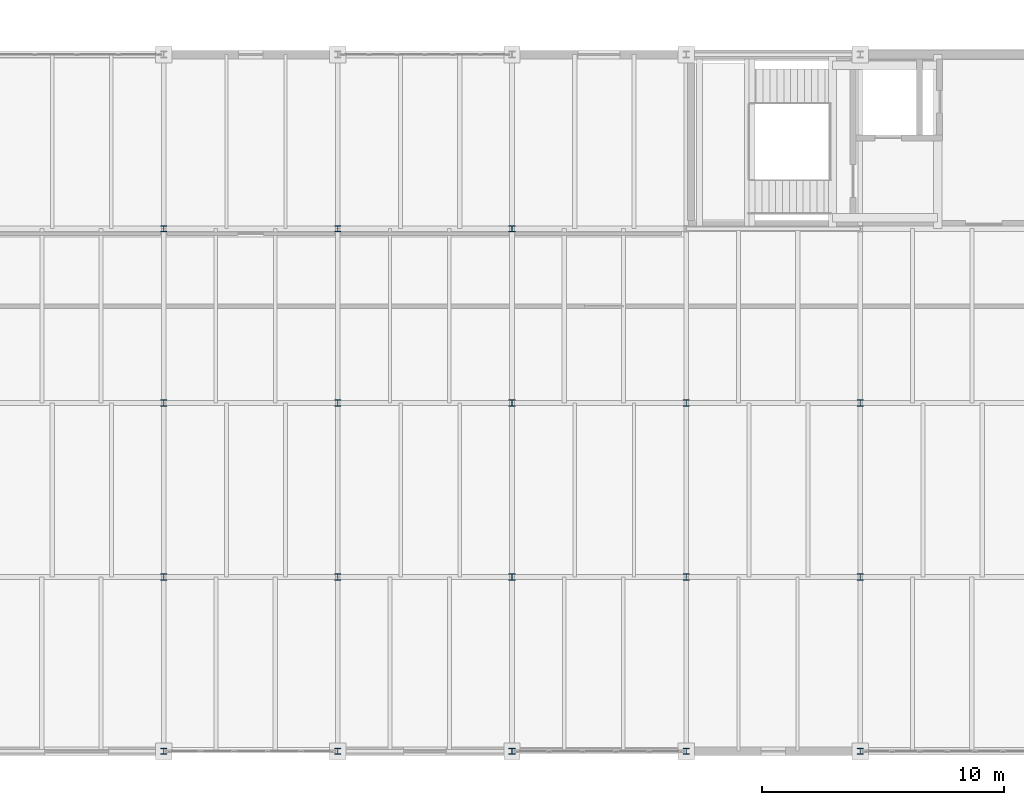
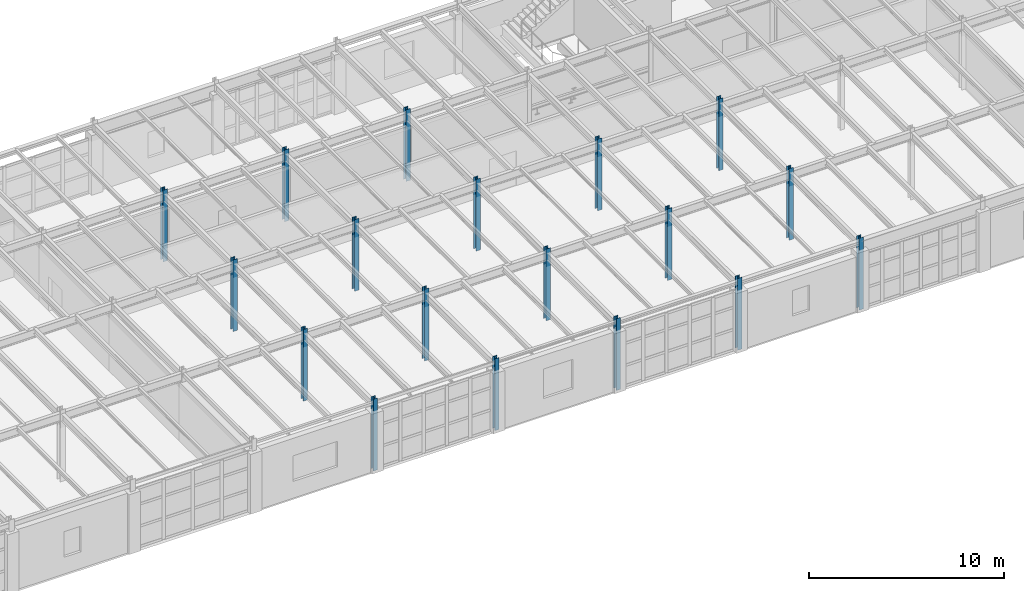
# One storey, part 5 of 137: 18 columns.
"""IFC4 building model written with IfcOpenShell, lengths in metres."""

from ifc_helpers import new_model, si_unit, direction, frame, origin, origin_2d, place, context, subcontext, project, spatial, i_section, extrude, material, material_profile, profile_set, type_object, element, save


model = new_model("IFC4")

# Units and contexts
model_context = context("Model", 3, precision=1e-05, world=origin(), true_north=direction((0.0, 1.0)))
body_context = subcontext(model_context, "Body", "Model", "MODEL_VIEW")
ifc_project = project(units=[si_unit("LENGTHUNIT", "METRE"), si_unit("AREAUNIT", "SQUARE_METRE"), si_unit("VOLUMEUNIT", "CUBIC_METRE"), si_unit("PLANEANGLEUNIT", "RADIAN"), si_unit("MASSUNIT", "GRAM", prefix="KILO")], contexts=[model_context])

# Site, building, storey
site_placement = place(None, origin())
site = spatial("IfcSite", under=ifc_project, at=site_placement, CompositionType="ELEMENT")
building_placement = place(site_placement, origin())
building = spatial("IfcBuilding", under=site, at=building_placement, Name="Kemerveld Promenade Tramway Depot", CompositionType="ELEMENT")
storey_placement = place(building_placement, frame((0.0, 0.0, 5.39990234375)))
storey = spatial("IfcBuildingStorey", under=building, at=storey_placement, Name="L01", CompositionType="ELEMENT", Elevation=5.39990234375)

# Columns
ifc_material = material(Name="Steel S355", Category="steel")
ifc_material_profile = material_profile(ifc_material, i_section(OverallWidth=0.25634765625, OverallDepth=0.26025390625, WebThickness=0.01025390625, FlangeThickness=0.017333984375, FilletRadius=0.0126953125, at=origin_2d()), Name="254x254x89 UC")
ifc_profile_set = profile_set([ifc_material_profile], Name="Steel S355")
column_type = type_object("IfcColumnType", Name="COL-S08", PredefinedType="COLUMN", material=ifc_profile_set)
for number, where, z_axis, x_axis, name in (
    (1, (64.800048828125, 0.0, 0.0), (0.0, 0.0, 1.0), (1.0, 0.0, 0.0), "COL-L01-10-A"),
    (2, (64.800048828125, 7.199951171875, 0.0), (0.0, 0.0, 1.0), (1.0, 0.0, 0.0), "COL-L01-10-B"),
    (3, (64.800048828125, 14.39990234375, 0.0), (0.0, 0.0, 1.0), (1.0, 0.0, 0.0), "COL-L01-10-C"),
    (4, (64.800048828125, 21.60009765625, 0.0), (0.0, 0.0, 1.0), (1.0, 0.0, 0.0), "COL-L01-10-D"),
    (5, (72.0, 0.0, 0.0), (0.0, 0.0, 1.0), (1.0, 0.0, 0.0), "COL-L01-11-A"),
    (6, (72.0, 7.199951171875, 0.0), (0.0, 0.0, 1.0), (1.0, 0.0, 0.0), "COL-L01-11-B"),
    (7, (72.0, 14.39990234375, 0.0), (0.0, 0.0, 1.0), (1.0, 0.0, 0.0), "COL-L01-11-C"),
    (8, (72.0, 21.60009765625, 0.0), (0.0, 0.0, 1.0), (1.0, 0.0, 0.0), "COL-L01-11-D"),
    (9, (79.199951171875, 0.0, 0.0), (0.0, 0.0, 1.0), (1.0, 0.0, 0.0), "COL-L01-12-A"),
    (10, (79.199951171875, 7.199951171875, 0.0), (0.0, 0.0, 1.0), (1.0, 0.0, 0.0), "COL-L01-12-B"),
    (11, (79.199951171875, 14.39990234375, 0.0), (0.0, 0.0, 1.0), (1.0, 0.0, 0.0), "COL-L01-12-C"),
    (12, (79.199951171875, 21.60009765625, 0.0), (0.0, 0.0, 1.0), (1.0, 0.0, 0.0), "COL-L01-12-D"),
    (13, (86.39990234375, 0.0, 0.0), (0.0, 0.0, 1.0), (1.0, 0.0, 0.0), "COL-L01-13-A"),
    (14, (86.39990234375, 7.199951171875, 0.0), (0.0, 0.0, 1.0), (1.0, 0.0, 0.0), "COL-L01-13-B"),
    (15, (86.39990234375, 14.39990234375, 0.0), (0.0, 0.0, 1.0), (1.0, 0.0, 0.0), "COL-L01-13-C"),
    (16, (93.60009765625, 0.0, 0.0), (0.0, 0.0, 1.0), (1.0, 0.0, 0.0), "COL-L01-14-A"),
    (17, (93.60009765625, 7.199951171875, 0.0), (0.0, 0.0, 1.0), (1.0, 0.0, 0.0), "COL-L01-14-B"),
    (18, (93.60009765625, 14.39990234375, 0.0), (0.0, 0.0, 1.0), (1.0, 0.0, 0.0), "COL-L01-14-C"),
):
    element("IfcColumn", number, at=place(storey_placement, frame(where, z_axis=z_axis, x_axis=x_axis)), inside=storey, type_object=column_type, Name=name, PredefinedType="COLUMN", context=body_context, shape_type="SweptSolid", body=[
        extrude(i_section(OverallWidth=0.25634765625, OverallDepth=0.26025390625, WebThickness=0.01025390625, FlangeThickness=0.017333984375, FilletRadius=0.0126953125, at=origin_2d()), origin(), (0.0, 0.0, 1.0), 4.5),
    ])

save(model, "model.ifc")
